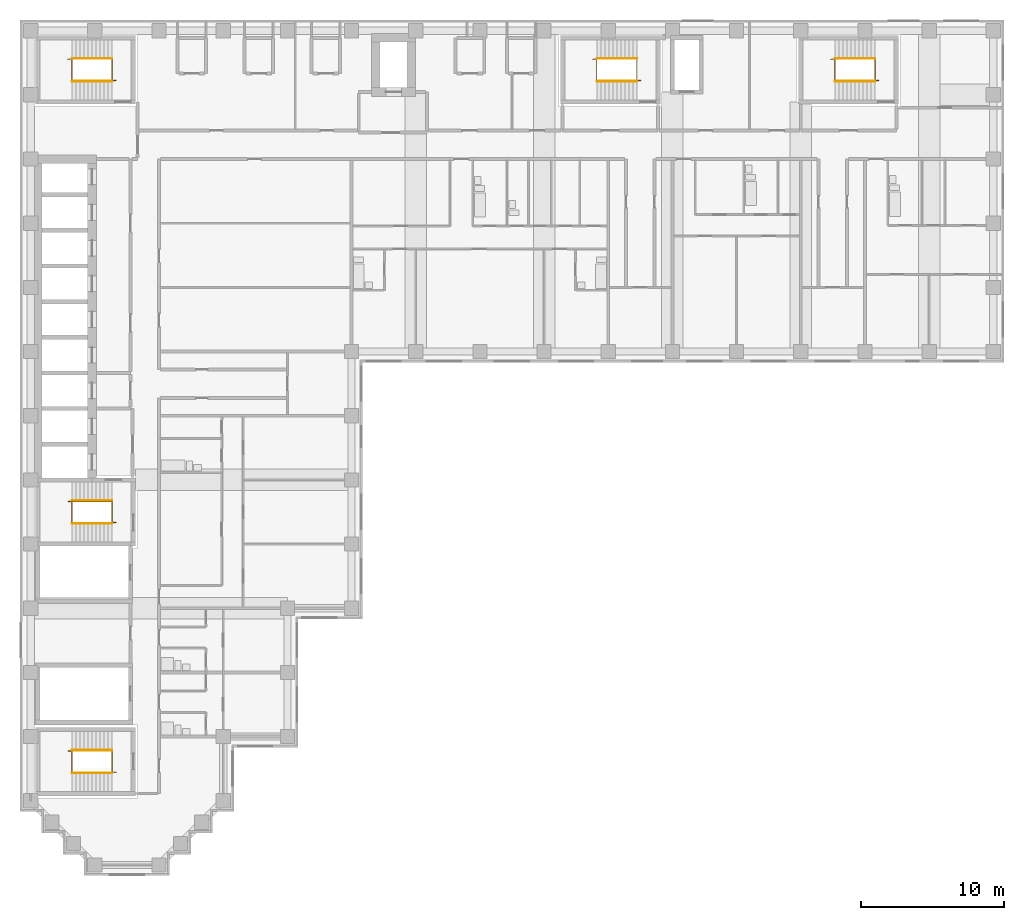
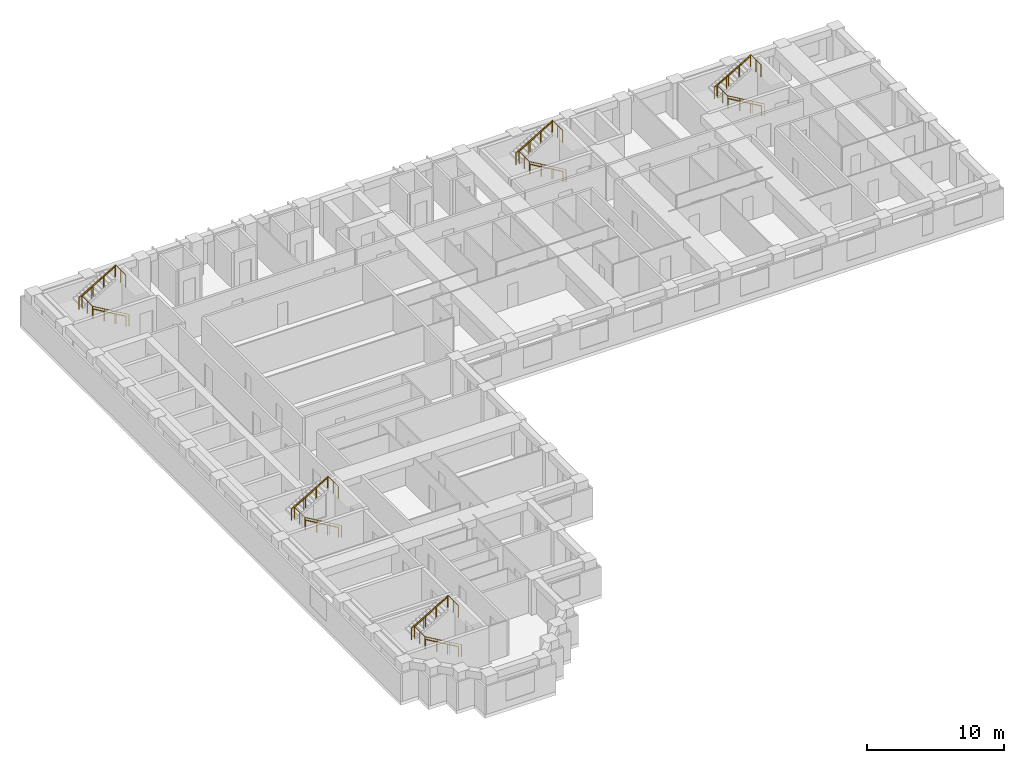
# One storey, part 11 of 12: 15 railings.
"""IFC4 building model written with IfcOpenShell, lengths in metres."""

from ifc_helpers import new_model, si_unit, direction, frame, origin, origin_2d, place, context, subcontext, project, spatial, circle, extrude, material, type_object, element, save


model = new_model("IFC4")

# Units and contexts
model_context = context("Model", 3, precision=1e-05, world=origin(), true_north=direction((0.0, 1.0)))
body_context = subcontext(model_context, "Body", "Model", "MODEL_VIEW")
ifc_project = project(units=[si_unit("LENGTHUNIT", "METRE"), si_unit("AREAUNIT", "SQUARE_METRE"), si_unit("VOLUMEUNIT", "CUBIC_METRE"), si_unit("PLANEANGLEUNIT", "RADIAN"), si_unit("MASSUNIT", "GRAM", prefix="KILO")], contexts=[model_context])

# Site, building, storey
site_placement = place(None, origin())
site = spatial("IfcSite", under=ifc_project, at=site_placement, CompositionType="ELEMENT")
building_placement = place(site_placement, origin())
building = spatial("IfcBuilding", under=site, at=building_placement, Name="Firuza Court", CompositionType="ELEMENT")
storey_placement = place(building_placement, frame((0.0, 0.0, 170.0)))
storey = spatial("IfcBuildingStorey", under=building, at=storey_placement, Name="L43", CompositionType="ELEMENT", Elevation=170.0)

# Railings
ifc_material_1 = material(Name="Steel S355", Category="steel")
railing_type_1 = type_object("IfcRailingType", Name="Handrail 900", PredefinedType="HANDRAIL", material=ifc_material_1)
railing_1_placement = place(storey_placement, frame((42.5, 54.949951171875, 0.16357421875)))
element("IfcRailing", 1, at=railing_1_placement, inside=storey, type_object=railing_type_1, Name="Handrail S1 flight 1", PredefinedType="HANDRAIL", context=body_context, shape_type="SweptSolid", body=[
    extrude(circle(Radius=0.02490234375, at=origin_2d()), frame((0.0, 0.0, 0.875), z_axis=(-0.863360870873, 0.0, 0.504586966384), x_axis=(0.0, -1.0, 0.0)), (0.0, 0.0, 1.0), 3.2431640625),
    extrude(circle(Radius=0.02001953125, at=origin_2d()), origin(), (0.0, 0.0, 1.0), 0.849853515625),
    extrude(circle(Radius=0.02001953125, at=origin_2d()), frame((-0.933349609375, 0.0, 0.54541015625)), (0.0, 0.0, 1.0), 0.849853515625),
    extrude(circle(Radius=0.02001953125, at=origin_2d()), frame((-1.86669921875, 0.0, 1.091064453125)), (0.0, 0.0, 1.0), 0.849853515625),
    extrude(circle(Radius=0.02001953125, at=origin_2d()), frame((-2.800048828125, 0.0, 1.636474609375)), (0.0, 0.0, 1.0), 0.849853515625),
])
railing_2_placement = place(storey_placement, frame((39.699951171875, 56.550048828125, 1.963623046875)))
element("IfcRailing", 2, at=railing_2_placement, inside=storey, type_object=railing_type_1, Name="Handrail S1 flight 2", PredefinedType="HANDRAIL", context=body_context, shape_type="SweptSolid", body=[
    extrude(circle(Radius=0.02490234375, at=origin_2d()), frame((0.0, 0.0, 0.875), z_axis=(0.863360870873, 0.0, 0.504586966384), x_axis=(0.0, 1.0, 0.0)), (0.0, 0.0, 1.0), 3.2431640625),
    extrude(circle(Radius=0.02001953125, at=origin_2d()), origin(), (0.0, 0.0, 1.0), 0.849853515625),
    extrude(circle(Radius=0.02001953125, at=origin_2d()), frame((0.933349609375, 0.0, 0.54541015625)), (0.0, 0.0, 1.0), 0.849853515625),
    extrude(circle(Radius=0.02001953125, at=origin_2d()), frame((1.86669921875, 0.0, 1.091064453125)), (0.0, 0.0, 1.0), 0.849853515625),
    extrude(circle(Radius=0.02001953125, at=origin_2d()), frame((2.800048828125, 0.0, 1.636474609375)), (0.0, 0.0, 1.0), 0.849853515625),
])
railing_3_placement = place(storey_placement, frame((5.699951171875, 23.949951171875, 0.16357421875)))
element("IfcRailing", 3, at=railing_3_placement, inside=storey, type_object=railing_type_1, Name="Handrail S2 flight 1", PredefinedType="HANDRAIL", context=body_context, shape_type="SweptSolid", body=[
    extrude(circle(Radius=0.02490234375, at=origin_2d()), frame((0.0, 0.0, 0.875), z_axis=(-0.863360870873, 0.0, 0.504586966384), x_axis=(0.0, -1.0, 0.0)), (0.0, 0.0, 1.0), 3.2431640625),
    extrude(circle(Radius=0.02001953125, at=origin_2d()), origin(), (0.0, 0.0, 1.0), 0.849853515625),
    extrude(circle(Radius=0.02001953125, at=origin_2d()), frame((-0.933349609375, 0.0, 0.54541015625)), (0.0, 0.0, 1.0), 0.849853515625),
    extrude(circle(Radius=0.02001953125, at=origin_2d()), frame((-1.86669921875, 0.0, 1.091064453125)), (0.0, 0.0, 1.0), 0.849853515625),
    extrude(circle(Radius=0.02001953125, at=origin_2d()), frame((-2.800048828125, 0.0, 1.636474609375)), (0.0, 0.0, 1.0), 0.849853515625),
])
railing_4_placement = place(storey_placement, frame((2.89990234375, 25.550048828125, 1.963623046875)))
element("IfcRailing", 4, at=railing_4_placement, inside=storey, type_object=railing_type_1, Name="Handrail S2 flight 2", PredefinedType="HANDRAIL", context=body_context, shape_type="SweptSolid", body=[
    extrude(circle(Radius=0.02490234375, at=origin_2d()), frame((0.0, 0.0, 0.875), z_axis=(0.863360870873, 0.0, 0.504586966384), x_axis=(0.0, 1.0, 0.0)), (0.0, 0.0, 1.0), 3.2431640625),
    extrude(circle(Radius=0.02001953125, at=origin_2d()), origin(), (0.0, 0.0, 1.0), 0.849853515625),
    extrude(circle(Radius=0.02001953125, at=origin_2d()), frame((0.933349609375, 0.0, 0.54541015625)), (0.0, 0.0, 1.0), 0.849853515625),
    extrude(circle(Radius=0.02001953125, at=origin_2d()), frame((1.86669921875, 0.0, 1.091064453125)), (0.0, 0.0, 1.0), 0.849853515625),
    extrude(circle(Radius=0.02001953125, at=origin_2d()), frame((2.800048828125, 0.0, 1.636474609375)), (0.0, 0.0, 1.0), 0.849853515625),
])
railing_5_placement = place(storey_placement, frame((5.699951171875, 54.949951171875, 0.16357421875)))
element("IfcRailing", 5, at=railing_5_placement, inside=storey, type_object=railing_type_1, Name="Handrail S3 flight 1", PredefinedType="HANDRAIL", context=body_context, shape_type="SweptSolid", body=[
    extrude(circle(Radius=0.02490234375, at=origin_2d()), frame((0.0, 0.0, 0.875), z_axis=(-0.863360870873, 0.0, 0.504586966384), x_axis=(0.0, -1.0, 0.0)), (0.0, 0.0, 1.0), 3.2431640625),
    extrude(circle(Radius=0.02001953125, at=origin_2d()), origin(), (0.0, 0.0, 1.0), 0.849853515625),
    extrude(circle(Radius=0.02001953125, at=origin_2d()), frame((-0.933349609375, 0.0, 0.54541015625)), (0.0, 0.0, 1.0), 0.849853515625),
    extrude(circle(Radius=0.02001953125, at=origin_2d()), frame((-1.86669921875, 0.0, 1.091064453125)), (0.0, 0.0, 1.0), 0.849853515625),
    extrude(circle(Radius=0.02001953125, at=origin_2d()), frame((-2.800048828125, 0.0, 1.636474609375)), (0.0, 0.0, 1.0), 0.849853515625),
])
railing_6_placement = place(storey_placement, frame((2.89990234375, 56.550048828125, 1.963623046875)))
element("IfcRailing", 6, at=railing_6_placement, inside=storey, type_object=railing_type_1, Name="Handrail S3 flight 2", PredefinedType="HANDRAIL", context=body_context, shape_type="SweptSolid", body=[
    extrude(circle(Radius=0.02490234375, at=origin_2d()), frame((0.0, 0.0, 0.875), z_axis=(0.863360870873, 0.0, 0.504586966384), x_axis=(0.0, 1.0, 0.0)), (0.0, 0.0, 1.0), 3.2431640625),
    extrude(circle(Radius=0.02001953125, at=origin_2d()), origin(), (0.0, 0.0, 1.0), 0.849853515625),
    extrude(circle(Radius=0.02001953125, at=origin_2d()), frame((0.933349609375, 0.0, 0.54541015625)), (0.0, 0.0, 1.0), 0.849853515625),
    extrude(circle(Radius=0.02001953125, at=origin_2d()), frame((1.86669921875, 0.0, 1.091064453125)), (0.0, 0.0, 1.0), 0.849853515625),
    extrude(circle(Radius=0.02001953125, at=origin_2d()), frame((2.800048828125, 0.0, 1.636474609375)), (0.0, 0.0, 1.0), 0.849853515625),
])
railing_7_placement = place(storey_placement, frame((59.199951171875, 54.949951171875, 0.16357421875)))
element("IfcRailing", 7, at=railing_7_placement, inside=storey, type_object=railing_type_1, Name="Handrail S4 flight 1", PredefinedType="HANDRAIL", context=body_context, shape_type="SweptSolid", body=[
    extrude(circle(Radius=0.02490234375, at=origin_2d()), frame((0.0, 0.0, 0.875), z_axis=(-0.863360870873, 0.0, 0.504586966384), x_axis=(0.0, -1.0, 0.0)), (0.0, 0.0, 1.0), 3.2431640625),
    extrude(circle(Radius=0.02001953125, at=origin_2d()), origin(), (0.0, 0.0, 1.0), 0.849853515625),
    extrude(circle(Radius=0.02001953125, at=origin_2d()), frame((-0.933349609375, 0.0, 0.54541015625)), (0.0, 0.0, 1.0), 0.849853515625),
    extrude(circle(Radius=0.02001953125, at=origin_2d()), frame((-1.86669921875, 0.0, 1.091064453125)), (0.0, 0.0, 1.0), 0.849853515625),
    extrude(circle(Radius=0.02001953125, at=origin_2d()), frame((-2.800048828125, 0.0, 1.636474609375)), (0.0, 0.0, 1.0), 0.849853515625),
])
railing_8_placement = place(storey_placement, frame((56.39990234375, 56.550048828125, 1.963623046875)))
element("IfcRailing", 8, at=railing_8_placement, inside=storey, type_object=railing_type_1, Name="Handrail S4 flight 2", PredefinedType="HANDRAIL", context=body_context, shape_type="SweptSolid", body=[
    extrude(circle(Radius=0.02490234375, at=origin_2d()), frame((0.0, 0.0, 0.875), z_axis=(0.863360870873, 0.0, 0.504586966384), x_axis=(0.0, 1.0, 0.0)), (0.0, 0.0, 1.0), 3.2431640625),
    extrude(circle(Radius=0.02001953125, at=origin_2d()), origin(), (0.0, 0.0, 1.0), 0.849853515625),
    extrude(circle(Radius=0.02001953125, at=origin_2d()), frame((0.933349609375, 0.0, 0.54541015625)), (0.0, 0.0, 1.0), 0.849853515625),
    extrude(circle(Radius=0.02001953125, at=origin_2d()), frame((1.86669921875, 0.0, 1.091064453125)), (0.0, 0.0, 1.0), 0.849853515625),
    extrude(circle(Radius=0.02001953125, at=origin_2d()), frame((2.800048828125, 0.0, 1.636474609375)), (0.0, 0.0, 1.0), 0.849853515625),
])
railing_9_placement = place(storey_placement, frame((5.699951171875, 6.449951171875, 0.16357421875)))
element("IfcRailing", 9, at=railing_9_placement, inside=storey, type_object=railing_type_1, Name="Handrail S5 flight 1", PredefinedType="HANDRAIL", context=body_context, shape_type="SweptSolid", body=[
    extrude(circle(Radius=0.02490234375, at=origin_2d()), frame((0.0, 0.0, 0.875), z_axis=(-0.863360870873, 0.0, 0.504586966384), x_axis=(0.0, -1.0, 0.0)), (0.0, 0.0, 1.0), 3.2431640625),
    extrude(circle(Radius=0.02001953125, at=origin_2d()), origin(), (0.0, 0.0, 1.0), 0.849853515625),
    extrude(circle(Radius=0.02001953125, at=origin_2d()), frame((-0.933349609375, 0.0, 0.54541015625)), (0.0, 0.0, 1.0), 0.849853515625),
    extrude(circle(Radius=0.02001953125, at=origin_2d()), frame((-1.86669921875, 0.0, 1.091064453125)), (0.0, 0.0, 1.0), 0.849853515625),
    extrude(circle(Radius=0.02001953125, at=origin_2d()), frame((-2.800048828125, 0.0, 1.636474609375)), (0.0, 0.0, 1.0), 0.849853515625),
])
railing_10_placement = place(storey_placement, frame((2.89990234375, 8.050048828125, 1.963623046875)))
element("IfcRailing", 10, at=railing_10_placement, inside=storey, type_object=railing_type_1, Name="Handrail S5 flight 2", PredefinedType="HANDRAIL", context=body_context, shape_type="SweptSolid", body=[
    extrude(circle(Radius=0.02490234375, at=origin_2d()), frame((0.0, 0.0, 0.875), z_axis=(0.863360870873, 0.0, 0.504586966384), x_axis=(0.0, 1.0, 0.0)), (0.0, 0.0, 1.0), 3.2431640625),
    extrude(circle(Radius=0.02001953125, at=origin_2d()), origin(), (0.0, 0.0, 1.0), 0.849853515625),
    extrude(circle(Radius=0.02001953125, at=origin_2d()), frame((0.933349609375, 0.0, 0.54541015625)), (0.0, 0.0, 1.0), 0.849853515625),
    extrude(circle(Radius=0.02001953125, at=origin_2d()), frame((1.86669921875, 0.0, 1.091064453125)), (0.0, 0.0, 1.0), 0.849853515625),
    extrude(circle(Radius=0.02001953125, at=origin_2d()), frame((2.800048828125, 0.0, 1.636474609375)), (0.0, 0.0, 1.0), 0.849853515625),
])
ifc_material_2 = material(Name="Steel S355", Category="steel")
railing_type_2 = type_object("IfcRailingType", Name="Stair guard 1100", PredefinedType="GUARDRAIL", material=ifc_material_2)
railing_11_placement = place(storey_placement, frame((42.780029296875, 55.010009765625, 0.0)))
element("IfcRailing", 11, at=railing_11_placement, inside=storey, type_object=railing_type_2, Name="Stair well guard S1", PredefinedType="GUARDRAIL", context=body_context, shape_type="SweptSolid", body=[
    extrude(circle(Radius=0.02490234375, at=origin_2d()), frame((0.0, 0.0, 1.0751953125), z_axis=(-0.863371556955, 0.0, 0.504568681787), x_axis=(0.0, -1.0, 0.0)), (0.0, 0.0, 1.0), 3.5673828125),
    extrude(circle(Radius=0.02490234375, at=origin_2d()), frame((-3.080078125, 0.0, 2.875), z_axis=(0.0, 1.0, 0.0), x_axis=(-1.0, 0.0, 0.0)), (0.0, 0.0, 1.0), 1.47998046875),
    extrude(circle(Radius=0.02490234375, at=origin_2d()), frame((-3.080078125, 1.47998046875, 2.875), z_axis=(-1.0, 0.0, 0.0), x_axis=(0.0, -1.0, 0.0)), (0.0, 0.0, 1.0), 0.280029296875),
    extrude(circle(Radius=0.02490234375, at=origin_2d()), frame((-3.360107421875, 1.47998046875, 2.875), z_axis=(0.863371556955, 0.0, 0.504568681787), x_axis=(0.0, 1.0, 0.0)), (0.0, 0.0, 1.0), 3.5673828125),
    extrude(circle(Radius=0.02490234375, at=origin_2d()), frame((-0.280029296875, 1.47998046875, 4.67529296875), z_axis=(0.0, -1.0, 0.0), x_axis=(1.0, 0.0, 0.0)), (0.0, 0.0, 1.0), 1.47998046875),
    extrude(circle(Radius=0.02490234375, at=origin_2d()), origin(), (0.0, 0.0, 1.0), 1.050048828125),
    extrude(circle(Radius=0.02490234375, at=origin_2d()), frame((-1.026611328125, 0.0, 0.60009765625)), (0.0, 0.0, 1.0), 1.050048828125),
    extrude(circle(Radius=0.02490234375, at=origin_2d()), frame((-2.053466796875, 0.0, 1.199951171875)), (0.0, 0.0, 1.0), 1.050048828125),
    extrude(circle(Radius=0.02490234375, at=origin_2d()), frame((-3.080078125, 0.0, 1.800048828125)), (0.0, 0.0, 1.0), 1.050048828125),
    extrude(circle(Radius=0.02490234375, at=origin_2d()), frame((-3.080078125, 0.739990234375, 1.800048828125)), (0.0, 0.0, 1.0), 1.050048828125),
    extrude(circle(Radius=0.02490234375, at=origin_2d()), frame((-3.080078125, 1.47998046875, 1.800048828125)), (0.0, 0.0, 1.0), 1.050048828125),
    extrude(circle(Radius=0.02490234375, at=origin_2d()), frame((-3.360107421875, 1.47998046875, 1.800048828125)), (0.0, 0.0, 1.0), 1.050048828125),
    extrude(circle(Radius=0.02490234375, at=origin_2d()), frame((-2.33349609375, 1.47998046875, 2.400146484375)), (0.0, 0.0, 1.0), 1.050048828125),
    extrude(circle(Radius=0.02490234375, at=origin_2d()), frame((-1.306640625, 1.47998046875, 3.0)), (0.0, 0.0, 1.0), 1.050048828125),
    extrude(circle(Radius=0.02490234375, at=origin_2d()), frame((-0.280029296875, 1.47998046875, 3.60009765625)), (0.0, 0.0, 1.0), 1.050048828125),
    extrude(circle(Radius=0.02490234375, at=origin_2d()), frame((-0.280029296875, 0.739990234375, 3.60009765625)), (0.0, 0.0, 1.0), 1.050048828125),
    extrude(circle(Radius=0.02490234375, at=origin_2d()), frame((-0.280029296875, 0.0, 3.60009765625)), (0.0, 0.0, 1.0), 1.050048828125),
])
railing_12_placement = place(storey_placement, frame((5.97998046875, 24.010009765625, 0.0)))
element("IfcRailing", 12, at=railing_12_placement, inside=storey, type_object=railing_type_2, Name="Stair well guard S2", PredefinedType="GUARDRAIL", context=body_context, shape_type="SweptSolid", body=[
    extrude(circle(Radius=0.02490234375, at=origin_2d()), frame((0.0, 0.0, 1.0751953125), z_axis=(-0.863371556955, 0.0, 0.504568681787), x_axis=(0.0, -1.0, 0.0)), (0.0, 0.0, 1.0), 3.5673828125),
    extrude(circle(Radius=0.02490234375, at=origin_2d()), frame((-3.080078125, 0.0, 2.875), z_axis=(0.0, 1.0, 0.0), x_axis=(-1.0, 0.0, 0.0)), (0.0, 0.0, 1.0), 1.47998046875),
    extrude(circle(Radius=0.02490234375, at=origin_2d()), frame((-3.080078125, 1.47998046875, 2.875), z_axis=(-1.0, 0.0, 0.0), x_axis=(0.0, -1.0, 0.0)), (0.0, 0.0, 1.0), 0.27978515625),
    extrude(circle(Radius=0.02490234375, at=origin_2d()), frame((-3.35986328125, 1.47998046875, 2.875), z_axis=(0.863354132664, 0.0, 0.504598495452), x_axis=(0.0, 1.0, 0.0)), (0.0, 0.0, 1.0), 3.5673828125),
    extrude(circle(Radius=0.02490234375, at=origin_2d()), frame((-0.280029296875, 1.47998046875, 4.67529296875), z_axis=(0.0, -1.0, 0.0), x_axis=(1.0, 0.0, 0.0)), (0.0, 0.0, 1.0), 1.47998046875),
    extrude(circle(Radius=0.02490234375, at=origin_2d()), origin(), (0.0, 0.0, 1.0), 1.050048828125),
    extrude(circle(Radius=0.02490234375, at=origin_2d()), frame((-1.026611328125, 0.0, 0.60009765625)), (0.0, 0.0, 1.0), 1.050048828125),
    extrude(circle(Radius=0.02490234375, at=origin_2d()), frame((-2.053466796875, 0.0, 1.199951171875)), (0.0, 0.0, 1.0), 1.050048828125),
    extrude(circle(Radius=0.02490234375, at=origin_2d()), frame((-3.080078125, 0.0, 1.800048828125)), (0.0, 0.0, 1.0), 1.050048828125),
    extrude(circle(Radius=0.02490234375, at=origin_2d()), frame((-3.080078125, 0.739990234375, 1.800048828125)), (0.0, 0.0, 1.0), 1.050048828125),
    extrude(circle(Radius=0.02490234375, at=origin_2d()), frame((-3.080078125, 1.47998046875, 1.800048828125)), (0.0, 0.0, 1.0), 1.050048828125),
    extrude(circle(Radius=0.02490234375, at=origin_2d()), frame((-3.35986328125, 1.47998046875, 1.800048828125)), (0.0, 0.0, 1.0), 1.050048828125),
    extrude(circle(Radius=0.02490234375, at=origin_2d()), frame((-2.333251953125, 1.47998046875, 2.400146484375)), (0.0, 0.0, 1.0), 1.050048828125),
    extrude(circle(Radius=0.02490234375, at=origin_2d()), frame((-1.306640625, 1.47998046875, 3.0)), (0.0, 0.0, 1.0), 1.050048828125),
    extrude(circle(Radius=0.02490234375, at=origin_2d()), frame((-0.280029296875, 1.47998046875, 3.60009765625)), (0.0, 0.0, 1.0), 1.050048828125),
    extrude(circle(Radius=0.02490234375, at=origin_2d()), frame((-0.280029296875, 0.739990234375, 3.60009765625)), (0.0, 0.0, 1.0), 1.050048828125),
    extrude(circle(Radius=0.02490234375, at=origin_2d()), frame((-0.280029296875, 0.0, 3.60009765625)), (0.0, 0.0, 1.0), 1.050048828125),
])
railing_13_placement = place(storey_placement, frame((5.97998046875, 55.010009765625, 0.0)))
element("IfcRailing", 13, at=railing_13_placement, inside=storey, type_object=railing_type_2, Name="Stair well guard S3", PredefinedType="GUARDRAIL", context=body_context, shape_type="SweptSolid", body=[
    extrude(circle(Radius=0.02490234375, at=origin_2d()), frame((0.0, 0.0, 1.0751953125), z_axis=(-0.863371556955, 0.0, 0.504568681787), x_axis=(0.0, -1.0, 0.0)), (0.0, 0.0, 1.0), 3.5673828125),
    extrude(circle(Radius=0.02490234375, at=origin_2d()), frame((-3.080078125, 0.0, 2.875), z_axis=(0.0, 1.0, 0.0), x_axis=(-1.0, 0.0, 0.0)), (0.0, 0.0, 1.0), 1.47998046875),
    extrude(circle(Radius=0.02490234375, at=origin_2d()), frame((-3.080078125, 1.47998046875, 2.875), z_axis=(-1.0, 0.0, 0.0), x_axis=(0.0, -1.0, 0.0)), (0.0, 0.0, 1.0), 0.27978515625),
    extrude(circle(Radius=0.02490234375, at=origin_2d()), frame((-3.35986328125, 1.47998046875, 2.875), z_axis=(0.863354132664, 0.0, 0.504598495452), x_axis=(0.0, 1.0, 0.0)), (0.0, 0.0, 1.0), 3.5673828125),
    extrude(circle(Radius=0.02490234375, at=origin_2d()), frame((-0.280029296875, 1.47998046875, 4.67529296875), z_axis=(0.0, -1.0, 0.0), x_axis=(1.0, 0.0, 0.0)), (0.0, 0.0, 1.0), 1.47998046875),
    extrude(circle(Radius=0.02490234375, at=origin_2d()), origin(), (0.0, 0.0, 1.0), 1.050048828125),
    extrude(circle(Radius=0.02490234375, at=origin_2d()), frame((-1.026611328125, 0.0, 0.60009765625)), (0.0, 0.0, 1.0), 1.050048828125),
    extrude(circle(Radius=0.02490234375, at=origin_2d()), frame((-2.053466796875, 0.0, 1.199951171875)), (0.0, 0.0, 1.0), 1.050048828125),
    extrude(circle(Radius=0.02490234375, at=origin_2d()), frame((-3.080078125, 0.0, 1.800048828125)), (0.0, 0.0, 1.0), 1.050048828125),
    extrude(circle(Radius=0.02490234375, at=origin_2d()), frame((-3.080078125, 0.739990234375, 1.800048828125)), (0.0, 0.0, 1.0), 1.050048828125),
    extrude(circle(Radius=0.02490234375, at=origin_2d()), frame((-3.080078125, 1.47998046875, 1.800048828125)), (0.0, 0.0, 1.0), 1.050048828125),
    extrude(circle(Radius=0.02490234375, at=origin_2d()), frame((-3.35986328125, 1.47998046875, 1.800048828125)), (0.0, 0.0, 1.0), 1.050048828125),
    extrude(circle(Radius=0.02490234375, at=origin_2d()), frame((-2.333251953125, 1.47998046875, 2.400146484375)), (0.0, 0.0, 1.0), 1.050048828125),
    extrude(circle(Radius=0.02490234375, at=origin_2d()), frame((-1.306640625, 1.47998046875, 3.0)), (0.0, 0.0, 1.0), 1.050048828125),
    extrude(circle(Radius=0.02490234375, at=origin_2d()), frame((-0.280029296875, 1.47998046875, 3.60009765625)), (0.0, 0.0, 1.0), 1.050048828125),
    extrude(circle(Radius=0.02490234375, at=origin_2d()), frame((-0.280029296875, 0.739990234375, 3.60009765625)), (0.0, 0.0, 1.0), 1.050048828125),
    extrude(circle(Radius=0.02490234375, at=origin_2d()), frame((-0.280029296875, 0.0, 3.60009765625)), (0.0, 0.0, 1.0), 1.050048828125),
])
railing_14_placement = place(storey_placement, frame((59.47998046875, 55.010009765625, 0.0)))
element("IfcRailing", 14, at=railing_14_placement, inside=storey, type_object=railing_type_2, Name="Stair well guard S4", PredefinedType="GUARDRAIL", context=body_context, shape_type="SweptSolid", body=[
    extrude(circle(Radius=0.02490234375, at=origin_2d()), frame((0.0, 0.0, 1.0751953125), z_axis=(-0.863371556955, 0.0, 0.504568681787), x_axis=(0.0, -1.0, 0.0)), (0.0, 0.0, 1.0), 3.5673828125),
    extrude(circle(Radius=0.02490234375, at=origin_2d()), frame((-3.080078125, 0.0, 2.875), z_axis=(0.0, 1.0, 0.0), x_axis=(-1.0, 0.0, 0.0)), (0.0, 0.0, 1.0), 1.47998046875),
    extrude(circle(Radius=0.02490234375, at=origin_2d()), frame((-3.080078125, 1.47998046875, 2.875), z_axis=(-1.0, 0.0, 0.0), x_axis=(0.0, -1.0, 0.0)), (0.0, 0.0, 1.0), 0.27978515625),
    extrude(circle(Radius=0.02490234375, at=origin_2d()), frame((-3.35986328125, 1.47998046875, 2.875), z_axis=(0.863354132664, 0.0, 0.504598495452), x_axis=(0.0, 1.0, 0.0)), (0.0, 0.0, 1.0), 3.5673828125),
    extrude(circle(Radius=0.02490234375, at=origin_2d()), frame((-0.280029296875, 1.47998046875, 4.67529296875), z_axis=(0.0, -1.0, 0.0), x_axis=(1.0, 0.0, 0.0)), (0.0, 0.0, 1.0), 1.47998046875),
    extrude(circle(Radius=0.02490234375, at=origin_2d()), origin(), (0.0, 0.0, 1.0), 1.050048828125),
    extrude(circle(Radius=0.02490234375, at=origin_2d()), frame((-1.026611328125, 0.0, 0.60009765625)), (0.0, 0.0, 1.0), 1.050048828125),
    extrude(circle(Radius=0.02490234375, at=origin_2d()), frame((-2.053466796875, 0.0, 1.199951171875)), (0.0, 0.0, 1.0), 1.050048828125),
    extrude(circle(Radius=0.02490234375, at=origin_2d()), frame((-3.080078125, 0.0, 1.800048828125)), (0.0, 0.0, 1.0), 1.050048828125),
    extrude(circle(Radius=0.02490234375, at=origin_2d()), frame((-3.080078125, 0.739990234375, 1.800048828125)), (0.0, 0.0, 1.0), 1.050048828125),
    extrude(circle(Radius=0.02490234375, at=origin_2d()), frame((-3.080078125, 1.47998046875, 1.800048828125)), (0.0, 0.0, 1.0), 1.050048828125),
    extrude(circle(Radius=0.02490234375, at=origin_2d()), frame((-3.35986328125, 1.47998046875, 1.800048828125)), (0.0, 0.0, 1.0), 1.050048828125),
    extrude(circle(Radius=0.02490234375, at=origin_2d()), frame((-2.333251953125, 1.47998046875, 2.400146484375)), (0.0, 0.0, 1.0), 1.050048828125),
    extrude(circle(Radius=0.02490234375, at=origin_2d()), frame((-1.306640625, 1.47998046875, 3.0)), (0.0, 0.0, 1.0), 1.050048828125),
    extrude(circle(Radius=0.02490234375, at=origin_2d()), frame((-0.280029296875, 1.47998046875, 3.60009765625)), (0.0, 0.0, 1.0), 1.050048828125),
    extrude(circle(Radius=0.02490234375, at=origin_2d()), frame((-0.280029296875, 0.739990234375, 3.60009765625)), (0.0, 0.0, 1.0), 1.050048828125),
    extrude(circle(Radius=0.02490234375, at=origin_2d()), frame((-0.280029296875, 0.0, 3.60009765625)), (0.0, 0.0, 1.0), 1.050048828125),
])
railing_15_placement = place(storey_placement, frame((5.97998046875, 6.510009765625, 0.0)))
element("IfcRailing", 15, at=railing_15_placement, inside=storey, type_object=railing_type_2, Name="Stair well guard S5", PredefinedType="GUARDRAIL", context=body_context, shape_type="SweptSolid", body=[
    extrude(circle(Radius=0.02490234375, at=origin_2d()), frame((0.0, 0.0, 1.0751953125), z_axis=(-0.863371556955, 0.0, 0.504568681787), x_axis=(0.0, -1.0, 0.0)), (0.0, 0.0, 1.0), 3.5673828125),
    extrude(circle(Radius=0.02490234375, at=origin_2d()), frame((-3.080078125, 0.0, 2.875), z_axis=(0.0, 1.0, 0.0), x_axis=(-1.0, 0.0, 0.0)), (0.0, 0.0, 1.0), 1.47998046875),
    extrude(circle(Radius=0.02490234375, at=origin_2d()), frame((-3.080078125, 1.47998046875, 2.875), z_axis=(-1.0, 0.0, 0.0), x_axis=(0.0, -1.0, 0.0)), (0.0, 0.0, 1.0), 0.27978515625),
    extrude(circle(Radius=0.02490234375, at=origin_2d()), frame((-3.35986328125, 1.47998046875, 2.875), z_axis=(0.863354132664, 0.0, 0.504598495452), x_axis=(0.0, 1.0, 0.0)), (0.0, 0.0, 1.0), 3.5673828125),
    extrude(circle(Radius=0.02490234375, at=origin_2d()), frame((-0.280029296875, 1.47998046875, 4.67529296875), z_axis=(0.0, -1.0, 0.0), x_axis=(1.0, 0.0, 0.0)), (0.0, 0.0, 1.0), 1.47998046875),
    extrude(circle(Radius=0.02490234375, at=origin_2d()), origin(), (0.0, 0.0, 1.0), 1.050048828125),
    extrude(circle(Radius=0.02490234375, at=origin_2d()), frame((-1.026611328125, 0.0, 0.60009765625)), (0.0, 0.0, 1.0), 1.050048828125),
    extrude(circle(Radius=0.02490234375, at=origin_2d()), frame((-2.053466796875, 0.0, 1.199951171875)), (0.0, 0.0, 1.0), 1.050048828125),
    extrude(circle(Radius=0.02490234375, at=origin_2d()), frame((-3.080078125, 0.0, 1.800048828125)), (0.0, 0.0, 1.0), 1.050048828125),
    extrude(circle(Radius=0.02490234375, at=origin_2d()), frame((-3.080078125, 0.739990234375, 1.800048828125)), (0.0, 0.0, 1.0), 1.050048828125),
    extrude(circle(Radius=0.02490234375, at=origin_2d()), frame((-3.080078125, 1.47998046875, 1.800048828125)), (0.0, 0.0, 1.0), 1.050048828125),
    extrude(circle(Radius=0.02490234375, at=origin_2d()), frame((-3.35986328125, 1.47998046875, 1.800048828125)), (0.0, 0.0, 1.0), 1.050048828125),
    extrude(circle(Radius=0.02490234375, at=origin_2d()), frame((-2.333251953125, 1.47998046875, 2.400146484375)), (0.0, 0.0, 1.0), 1.050048828125),
    extrude(circle(Radius=0.02490234375, at=origin_2d()), frame((-1.306640625, 1.47998046875, 3.0)), (0.0, 0.0, 1.0), 1.050048828125),
    extrude(circle(Radius=0.02490234375, at=origin_2d()), frame((-0.280029296875, 1.47998046875, 3.60009765625)), (0.0, 0.0, 1.0), 1.050048828125),
    extrude(circle(Radius=0.02490234375, at=origin_2d()), frame((-0.280029296875, 0.739990234375, 3.60009765625)), (0.0, 0.0, 1.0), 1.050048828125),
    extrude(circle(Radius=0.02490234375, at=origin_2d()), frame((-0.280029296875, 0.0, 3.60009765625)), (0.0, 0.0, 1.0), 1.050048828125),
])

save(model, "model.ifc")
